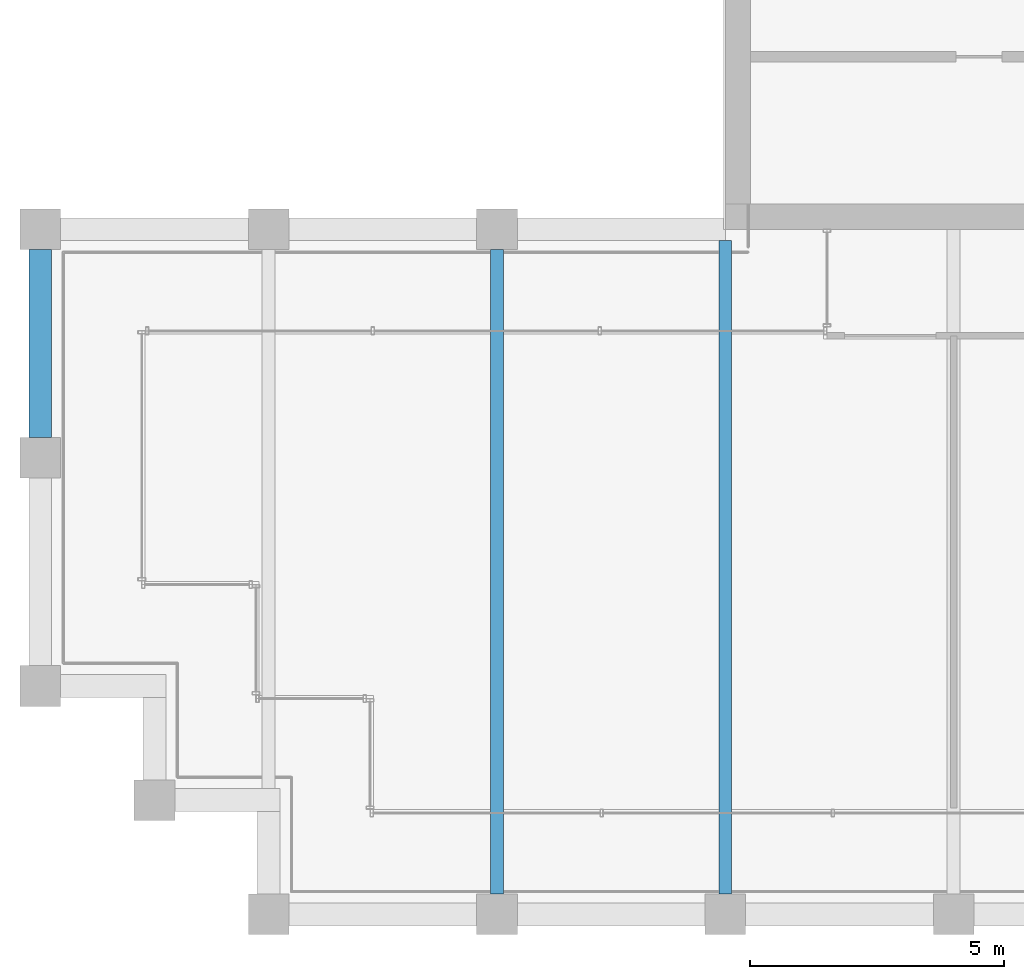
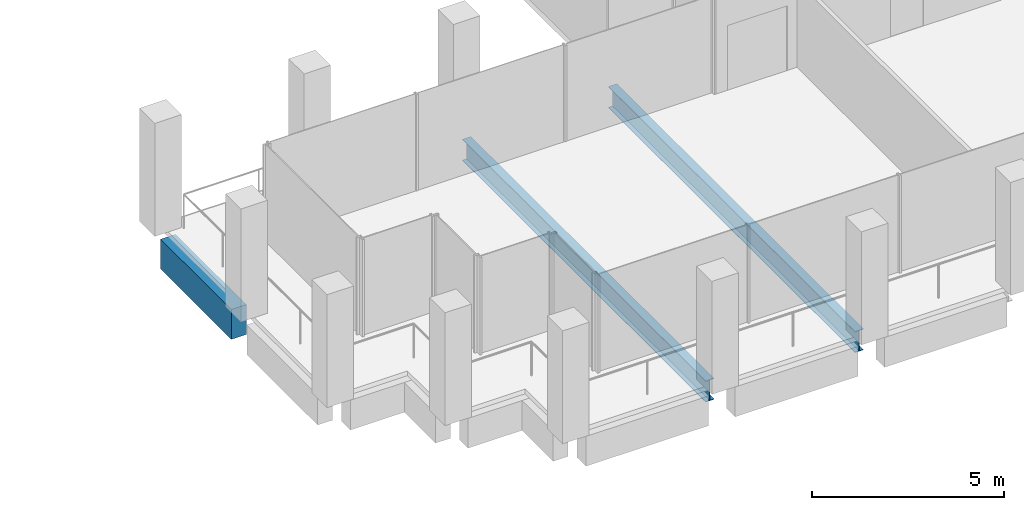
# One storey, part 4 of 40: 3 beams.
"""IFC4 building model written with IfcOpenShell, lengths in metres."""

from ifc_helpers import new_model, si_unit, direction, frame, origin, origin_2d, place, context, subcontext, project, spatial, rectangle, i_section, extrude, material, material_profile, profile_set, type_object, element, save


model = new_model("IFC4")

# Units and contexts
model_context = context("Model", 3, precision=1e-05, world=origin(), true_north=direction((0.0, 1.0)))
body_context = subcontext(model_context, "Body", "Model", "MODEL_VIEW")
ifc_project = project(units=[si_unit("LENGTHUNIT", "METRE"), si_unit("AREAUNIT", "SQUARE_METRE"), si_unit("VOLUMEUNIT", "CUBIC_METRE"), si_unit("PLANEANGLEUNIT", "RADIAN"), si_unit("MASSUNIT", "GRAM", prefix="KILO")], contexts=[model_context])

# Site, building, storey
site_placement = place(None, origin())
site = spatial("IfcSite", under=ifc_project, at=site_placement, CompositionType="ELEMENT")
building_placement = place(site_placement, origin())
building = spatial("IfcBuilding", under=site, at=building_placement, Name="Altepetl Exchange Towers", CompositionType="ELEMENT")
storey_placement = place(building_placement, frame((0.0, 0.0, 202.800048828125)))
storey = spatial("IfcBuildingStorey", under=building, at=storey_placement, Name="L51", CompositionType="ELEMENT", Elevation=202.800048828125)

# Beams
ifc_material_1 = material(Name="Steel S355", Category="steel")
ifc_material_profile_1 = material_profile(ifc_material_1, i_section(OverallWidth=0.2529296875, OverallDepth=0.677978515625, WebThickness=0.01171875, FlangeThickness=0.016357421875, at=origin_2d()), Name="W27X84")
ifc_profile_set_1 = profile_set([ifc_material_profile_1], Name="Steel S355")
beam_type_1 = type_object("IfcBeamType", Name="Floor beam W27X84", PredefinedType="BEAM", material=ifc_profile_set_1)
beam_1_placement = place(storey_placement, frame((36.0, 27.39990234375, -0.489013671875), z_axis=(0.0, 1.0, 0.0), x_axis=(-1.0, 0.0, 0.0)))
element("IfcBeam", 1, at=beam_1_placement, inside=storey, type_object=beam_type_1, Name="bm:A:L51:013", PredefinedType="BEAM", context=body_context, shape_type="SweptSolid", body=[
    extrude(i_section(OverallWidth=0.2529296875, OverallDepth=0.677978515625, WebThickness=0.01171875, FlangeThickness=0.016357421875, at=origin_2d()), origin(), (0.0, 0.0, 1.0), 12.7001953125),
])
beam_2_placement = place(storey_placement, frame((40.5, 27.39990234375, -0.489013671875), z_axis=(0.0, 1.0, 0.0), x_axis=(-1.0, 0.0, 0.0)))
element("IfcBeam", 2, at=beam_2_placement, inside=storey, type_object=beam_type_1, Name="bm:A:L51:014", PredefinedType="BEAM", context=body_context, shape_type="SweptSolid", body=[
    extrude(i_section(OverallWidth=0.2529296875, OverallDepth=0.677978515625, WebThickness=0.01171875, FlangeThickness=0.016357421875, at=origin_2d()), origin(), (0.0, 0.0, 1.0), 12.875),
])
ifc_material_2 = material(Name="Concrete C50/60 precast with cantera blanca facing", Category="concrete")
ifc_material_profile_2 = material_profile(ifc_material_2, rectangle(XDim=0.449951171875, YDim=0.949951171875, at=origin_2d()), Name="450 x 950")
ifc_profile_set_2 = profile_set([ifc_material_profile_2], Name="Concrete C50/60 precast with cantera blanca facing")
beam_type_2 = type_object("IfcBeamType", Name="Spandrel beam 450x950 cantera blanca", PredefinedType="SPANDREL", material=ifc_profile_set_2)
beam_3_placement = place(storey_placement, frame((27.0, 40.10009765625, -0.625), z_axis=(0.0, -1.0, 0.0), x_axis=(1.0, 0.0, 0.0)))
element("IfcBeam", 3, at=beam_3_placement, inside=storey, type_object=beam_type_2, Name="sp:A:L51:036", PredefinedType="SPANDREL", context=body_context, shape_type="SweptSolid", body=[
    extrude(rectangle(XDim=0.449951171875, YDim=0.949951171875, at=origin_2d()), origin(), (0.0, 0.0, 1.0), 3.7001953125),
])

save(model, "model.ifc")
